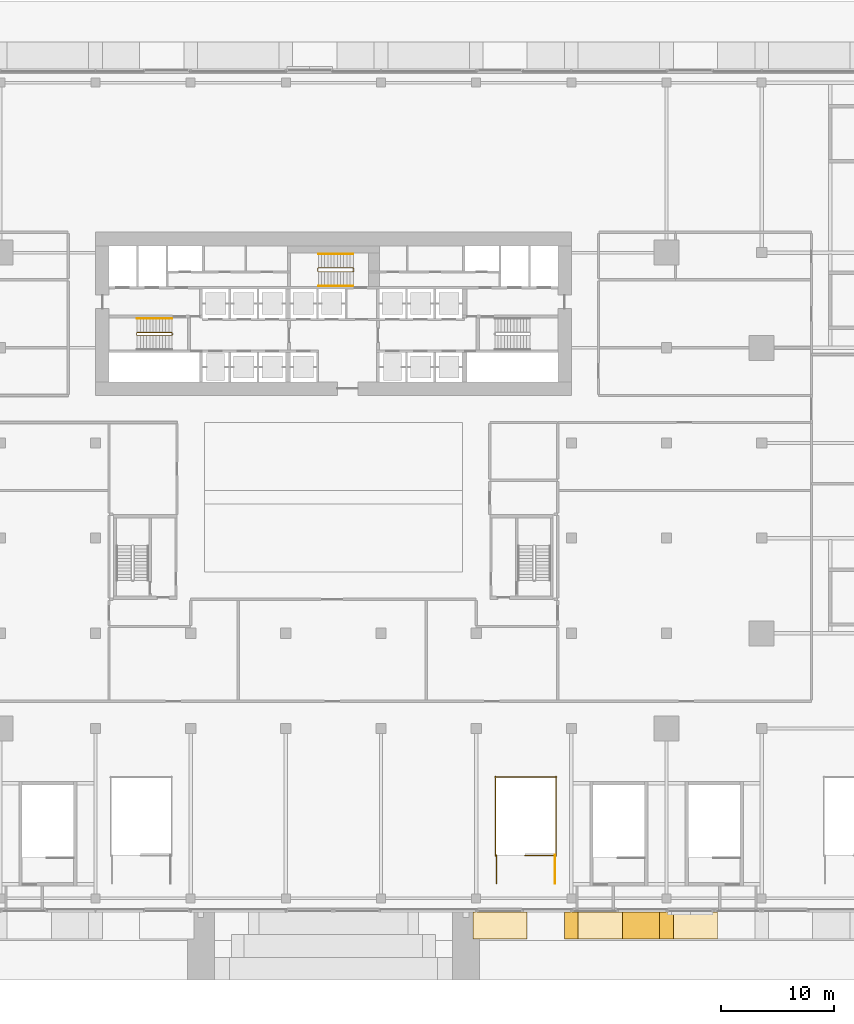
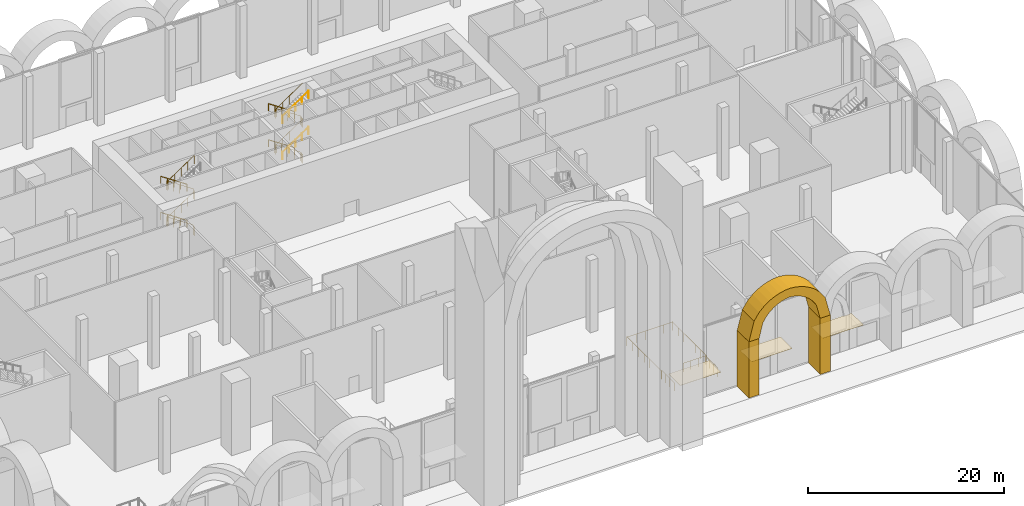
# One storey, part 37 of 43: 10 railings, 6 coverings.
"""IFC4 building model written with IfcOpenShell, lengths in metres."""

import ifcopenshell
import ifcopenshell.guid

model = None  # the IFC model being written
_history = None  # IfcOwnerHistory: only IFC2X3 demands one
_inside = {}  # id of a spatial element -> (the spatial element, [elements in it])
_under = {}  # id of a project, library or spatial element -> (it, [spatial elements below it])
_declared = {}  # id of a project -> (the project, [libraries it declares])
_typed = {}  # id of a type object -> (the type object, [elements of that type])
_made_of = {}  # id of a material, layer set ... -> (it, [elements and type objects made of it])


def new_model(schema):
    """Start an empty IFC model of exactly this schema.

    Asked for "IFC4X3", IfcOpenShell would pick the latest addendum, in which some entities
    have other attributes; the version numbers below select the first issue.
    IFC2X3 requires an IfcOwnerHistory on every rooted entity: one is made here for all.
    """
    global model, _history
    if schema == "IFC4X3":
        model = ifcopenshell.file(schema_version=(4, 3, 0, 0))
    else:
        model = ifcopenshell.file(schema=schema)
    _inside.clear()
    _under.clear()
    _declared.clear()
    _typed.clear()
    _made_of.clear()
    _history = None
    if model.schema == "IFC2X3":
        org = make("IfcOrganization", Name="unknown")
        user = make(
            "IfcPersonAndOrganization",
            ThePerson=make("IfcPerson", FamilyName="unknown"),
            TheOrganization=org,
        )
        app = make(
            "IfcApplication",
            ApplicationDeveloper=org,
            Version="unknown",
            ApplicationFullName="unknown",
            ApplicationIdentifier="unknown",
        )
        _history = make(
            "IfcOwnerHistory",
            OwningUser=user,
            OwningApplication=app,
            ChangeAction="ADDED",
            CreationDate=0,
        )
    return model


def make(cls, **values):
    """One entity of the class cls with the attributes given. An attribute that is None is left unset."""
    return model.create_entity(
        cls, **{name: value for name, value in values.items() if value is not None}
    )


def rooted(cls, **values):
    """An entity with a GlobalId (a new one), such as an element, a storey or a relation."""
    return make(cls, GlobalId=ifcopenshell.guid.new(), OwnerHistory=_history, **values)


def si_unit(unit_type, name, prefix=None):
    """IfcSIUnit, for example si_unit("LENGTHUNIT", "METRE", prefix="MILLI")."""
    return make("IfcSIUnit", UnitType=unit_type, Prefix=prefix, Name=name)


def assignment(units):
    """IfcUnitAssignment: the units of a project."""
    return None if units is None else make("IfcUnitAssignment", Units=units)


def point(xyz):
    """IfcCartesianPoint."""
    return None if xyz is None else make("IfcCartesianPoint", Coordinates=xyz)


def direction(xyz):
    """IfcDirection."""
    return None if xyz is None else make("IfcDirection", DirectionRatios=xyz)


def frame(location, z_axis=None, x_axis=None):
    """IfcAxis2Placement3D, a coordinate frame: its origin and axes. An axis left out is left unset."""
    return make(
        "IfcAxis2Placement3D",
        Location=point(location),
        Axis=direction(z_axis),
        RefDirection=direction(x_axis),
    )


def frame_2d(location, x_axis=None):
    """IfcAxis2Placement2D, a coordinate frame in the plane: its origin and x axis."""
    return make(
        "IfcAxis2Placement2D", Location=point(location), RefDirection=direction(x_axis)
    )


def origin():
    """The frame at (0, 0, 0) with its axes left unset."""
    return frame((0.0, 0.0, 0.0))


def origin_2d():
    """The frame at (0, 0) in the plane with its x axis left unset."""
    return frame_2d((0.0, 0.0))


def place(relative_to, where):
    """IfcLocalPlacement: puts the frame where relative to a parent placement (None: the world)."""
    return make(
        "IfcLocalPlacement", PlacementRelTo=relative_to, RelativePlacement=where
    )


def context(
    kind, dimensions, precision=None, world=None, true_north=None, identifier=None
):
    """IfcGeometricRepresentationContext, for example the 3D "Model" context."""
    return make(
        "IfcGeometricRepresentationContext",
        ContextIdentifier=identifier,
        ContextType=kind,
        CoordinateSpaceDimension=dimensions,
        Precision=precision,
        WorldCoordinateSystem=world,
        TrueNorth=true_north,
    )


def subcontext(parent, identifier, kind, view, scale=None):
    """IfcGeometricRepresentationSubContext, for example "Body" below "Model"."""
    return make(
        "IfcGeometricRepresentationSubContext",
        ContextIdentifier=identifier,
        ContextType=kind,
        ParentContext=parent,
        TargetScale=scale,
        TargetView=view,
    )


def project(units=None, contexts=None):
    """IfcProject with its units and contexts."""
    return rooted(
        "IfcProject",
        Name="project",
        RepresentationContexts=contexts,
        UnitsInContext=assignment(units),
    )


def spatial(cls, under=None, at=None, **own):
    """A site, building, storey or space (cls), placed at a placement, below another one or the project."""
    s = rooted(cls, ObjectPlacement=at, **own)
    if under is not None:
        _under.setdefault(under.id(), (under, []))[1].append(s)
    return s


def polyline(points):
    """IfcPolyline through the points."""
    return make("IfcPolyline", Points=[point(p) for p in points])


def profile(cls, at=None, kind="AREA", **sizes):
    """A parametric profile (cls). Its sizes go by their IFC names, for example OverallWidth=200.0."""
    return make(cls, ProfileType=kind, Position=at, **sizes)


def circle(**sizes):
    """IfcCircleProfileDef."""
    return profile("IfcCircleProfileDef", **sizes)


def outline(outer, holes=None, kind="AREA"):
    """IfcArbitraryClosedProfileDef: a profile drawn as a closed curve; with holes, ...WithVoids."""
    if holes is None:
        return make("IfcArbitraryClosedProfileDef", ProfileType=kind, OuterCurve=outer)
    return make(
        "IfcArbitraryProfileDefWithVoids",
        ProfileType=kind,
        OuterCurve=outer,
        InnerCurves=holes,
    )


def extrude(swept, where, along, depth):
    """IfcExtrudedAreaSolid: the profile swept, set in the frame where, extruded along a direction by depth."""
    return make(
        "IfcExtrudedAreaSolid",
        SweptArea=swept,
        Position=where,
        ExtrudedDirection=direction(along),
        Depth=depth,
    )


def shape(context_of_items, identifier, shape_type, items):
    """IfcShapeRepresentation: the items that make up one representation, for example the "Body"."""
    return make(
        "IfcShapeRepresentation",
        ContextOfItems=context_of_items,
        RepresentationIdentifier=identifier,
        RepresentationType=shape_type,
        Items=items,
    )


def material(Name=None, Category=None):
    """IfcMaterial."""
    return make("IfcMaterial", Name=Name, Category=Category)


def layer(
    of_material, thickness, ventilated=None, Name=None, Category=None, Priority=None
):
    """IfcMaterialLayer: one layer of a wall or slab, of a material (None: an air gap)."""
    return make(
        "IfcMaterialLayer",
        Material=of_material,
        LayerThickness=thickness,
        IsVentilated=ventilated,
        Name=Name,
        Category=Category,
        Priority=Priority,
    )


def layer_set(layers, Name=None):
    """IfcMaterialLayerSet."""
    return make("IfcMaterialLayerSet", MaterialLayers=layers, LayerSetName=Name)


def made_of(thing, what):
    """Note that an element or type object is made of a material, layer set ...; save() writes the relation."""
    if what is not None:
        _made_of.setdefault(what.id(), (what, []))[1].append(thing)
    return thing


def type_object(cls, material=None, **own):
    """A type object (cls), such as IfcWallType, which elements share."""
    return made_of(rooted(cls, **own), material)


def element(
    cls,
    number,
    at=None,
    inside=None,
    cuts=None,
    type_object=None,
    material=None,
    context=None,
    identifier="Body",
    shape_type=None,
    held_by="IfcProductDefinitionShape",
    body=None,
    shapes=None,
    **own,
):
    """One element of the class cls, such as IfcWall. Its Tag is "e" and its number.

    at: its placement. inside: the storey or other place that contains it. cuts: it is an
    opening in that element (IfcRelVoidsElement). A single representation is given by context,
    identifier, shape_type and body (its items); several are given by shapes. held_by: the class
    of the entity that holds the representations. save() writes the other relations.
    """
    e = rooted(cls, Tag="e%d" % number, ObjectPlacement=at, **own)
    if body is not None:
        shapes = [shape(context, identifier, shape_type, body)]
    if shapes is not None:
        e.Representation = make(held_by, Representations=shapes)
    if inside is not None:
        _inside.setdefault(inside.id(), (inside, []))[1].append(e)
    if cuts is not None:
        rooted(
            "IfcRelVoidsElement", RelatingBuildingElement=cuts, RelatedOpeningElement=e
        )
    if type_object is not None:
        _typed.setdefault(type_object.id(), (type_object, []))[1].append(e)
    return made_of(e, material)


def aggregate(whole, parts):
    """IfcRelAggregates: a whole, such as a stair, and the parts it consists of."""
    return rooted("IfcRelAggregates", RelatingObject=whole, RelatedObjects=parts)


def save(model, path):
    """Write the relations noted so far, then the file.

    IfcRelAggregates (storeys below a building ...), IfcRelContainedInSpatialStructure (elements
    in a storey), IfcRelDefinesByType, IfcRelAssociatesMaterial and IfcRelDeclares: one each for
    every whole, place, type object, material and project.
    """
    for whole, parts in _under.values():
        aggregate(whole, parts)
    for where, things in _inside.values():
        rooted(
            "IfcRelContainedInSpatialStructure",
            RelatedElements=things,
            RelatingStructure=where,
        )
    for kind, things in _typed.values():
        rooted("IfcRelDefinesByType", RelatedObjects=things, RelatingType=kind)
    for what, things in _made_of.values():
        rooted("IfcRelAssociatesMaterial", RelatedObjects=things, RelatingMaterial=what)
    for by, libraries in _declared.values():
        rooted("IfcRelDeclares", RelatingContext=by, RelatedDefinitions=libraries)
    model.write(path)


model = new_model("IFC4")

# Units and contexts
model_context = context("Model", 3, precision=1e-05, world=origin(), true_north=direction((0.0, 1.0)))
body_context = subcontext(model_context, "Body", "Model", "MODEL_VIEW")
ifc_project = project(units=[si_unit("LENGTHUNIT", "METRE"), si_unit("AREAUNIT", "SQUARE_METRE"), si_unit("VOLUMEUNIT", "CUBIC_METRE"), si_unit("PLANEANGLEUNIT", "RADIAN"), si_unit("MASSUNIT", "GRAM", prefix="KILO")], contexts=[model_context])

# Site, building, storey
site_placement = place(None, origin())
site = spatial("IfcSite", under=ifc_project, at=site_placement, CompositionType="ELEMENT")
building_placement = place(site_placement, origin())
building = spatial("IfcBuilding", under=site, at=building_placement, Name="Saffron Gate Tower", CompositionType="ELEMENT")
storey_placement = place(building_placement, origin())
storey = spatial("IfcBuildingStorey", under=building, at=storey_placement, Name="L00", CompositionType="ELEMENT", Elevation=0.0)

# Coverings
ifc_material_1 = material(Name="Cast stone cladding, pale limestone", Category="masonry")
ifc_layer_1 = layer(ifc_material_1, 1.199951171875)
ifc_layer_set_1 = layer_set([ifc_layer_1], Name="AR1 arcade pier")
covering_type_1 = type_object("IfcCoveringType", Name="AR1 arcade pier", PredefinedType="CLADDING", material=ifc_layer_set_1)
covering_1_placement = place(storey_placement, origin())
element("IfcCovering", 1, at=covering_1_placement, inside=storey, type_object=covering_type_1, Name="ARCADE PIER", PredefinedType="CLADDING", context=body_context, shape_type="SweptSolid", body=[
    extrude(outline(polyline([(108.0, 15.60009765625), (109.199951171875, 15.60009765625), (109.199951171875, 13.199951171875), (108.0, 13.199951171875), (108.0, 15.60009765625)])), origin(), (0.0, 0.0, 1.0), 7.0),
])
covering_2_placement = place(storey_placement, origin())
element("IfcCovering", 2, at=covering_2_placement, inside=storey, type_object=covering_type_1, Name="ARCADE PIER", PredefinedType="CLADDING", context=body_context, shape_type="SweptSolid", body=[
    extrude(outline(polyline([(116.39990234375, 15.60009765625), (117.60009765625, 15.60009765625), (117.60009765625, 13.199951171875), (116.39990234375, 13.199951171875), (116.39990234375, 15.60009765625)])), origin(), (0.0, 0.0, 1.0), 7.0),
])
ifc_layer_2 = layer(ifc_material_1, 2.39990234375)
ifc_layer_set_2 = layer_set([ifc_layer_2], Name="AR2 arcade arch")
covering_type_2 = type_object("IfcCoveringType", Name="AR2 arcade arch", PredefinedType="CLADDING", material=ifc_layer_set_2)
covering_3_placement = place(storey_placement, frame((109.199951171875, 13.199951171875, 7.0), z_axis=(0.0, -1.0, 0.0), x_axis=(0.239115028028, 0.0, 0.970991247835)))
element("IfcCovering", 3, at=covering_3_placement, inside=storey, type_object=covering_type_2, Name="ARCADE ARCH", PredefinedType="CLADDING", context=body_context, shape_type="SweptSolid", body=[
    extrude(outline(polyline([(0.0, 0.0), (1.881735228381075, 0.0), (2.6469837228088364, -0.2751959895649837), (3.203325380232136, -0.6015856677150615), (3.6394784237266933, -0.9575728359066504), (3.990290439579541, -1.334575973358484), (4.272829633319021, -1.7283918862185135), (4.496636719042157, -2.1369225252012716), (4.667047284796835, -2.5583510865615673), (4.7118168931901065, -3.0107198248883336), (4.70324835930731, -3.4762235440027536), (4.63588933971578, -3.956204930829786), (4.50031587570327, -4.45323615147513), (4.2793430063566635, -4.971046282970603), (3.9381815230813135, -5.518453904507588), (3.3881715804938914, -6.117292273039781), (1.721616526260766, -6.991089572726843), (2.008601262047885, -8.156468716856415), (4.17216134140188, -7.005647442456348), (4.878523373773681, -6.213673843174959), (5.310430144923704, -5.489538670090807), (5.5839235204239435, -4.804162737112771), (5.743450178350844, -4.147103532584232), (5.8116509706907475, -3.512282681215563), (5.800200137231722, -2.897076734489788), (5.715793691149402, -2.300088175430116), (5.513273779136993, -1.7319346487703329), (5.237798254501289, -1.1819985097766537), (4.882612726374266, -0.6514402170157529), (4.436159710352636, -0.14335733582483634), (3.875739976757668, 0.336408816916582), (3.1569068475129147, 0.7774157295518843), (2.163618457046385, 1.1505842159899504), (-0.2869263580947294, 1.1651420857194545), (0.0, 0.0)])), origin(), (0.0, 0.0, -1.0), 2.39990234375),
])
ifc_material_2 = material(Name="Bronze-anodised aluminium soffit panels", Category="aluminium")
ifc_layer_3 = layer(ifc_material_2, 0.030029296875)
ifc_layer_set_3 = layer_set([ifc_layer_3], Name="CE1 canopy soffit lining")
covering_type_3 = type_object("IfcCoveringType", Name="CE1 canopy soffit lining", PredefinedType="CEILING", material=ifc_layer_set_3)
covering_4_placement = place(storey_placement, frame((0.0, 0.0, 4.3701171875)))
element("IfcCovering", 4, at=covering_4_placement, inside=storey, type_object=covering_type_3, Name="ENTRANCE CANOPY soffit lining", PredefinedType="CEILING", context=body_context, shape_type="SweptSolid", body=[
    extrude(outline(polyline([(116.699951171875, 15.60009765625), (121.5, 15.60009765625), (121.5, 13.199951171875), (116.699951171875, 13.199951171875), (116.699951171875, 15.60009765625)])), origin(), (0.0, 0.0, 1.0), 0.02978515625),
])
covering_5_placement = place(storey_placement, frame((0.0, 0.0, 4.3701171875)))
element("IfcCovering", 5, at=covering_5_placement, inside=storey, type_object=covering_type_3, Name="ENTRANCE CANOPY soffit lining", PredefinedType="CEILING", context=body_context, shape_type="SweptSolid", body=[
    extrude(outline(polyline([(99.89990234375, 15.60009765625), (104.699951171875, 15.60009765625), (104.699951171875, 13.199951171875), (99.89990234375, 13.199951171875), (99.89990234375, 15.60009765625)])), origin(), (0.0, 0.0, 1.0), 0.02978515625),
])
covering_6_placement = place(storey_placement, frame((0.0, 0.0, 4.3701171875)))
element("IfcCovering", 6, at=covering_6_placement, inside=storey, type_object=covering_type_3, Name="ENTRANCE CANOPY soffit lining", PredefinedType="CEILING", context=body_context, shape_type="SweptSolid", body=[
    extrude(outline(polyline([(108.300048828125, 15.60009765625), (113.10009765625, 15.60009765625), (113.10009765625, 13.199951171875), (108.300048828125, 13.199951171875), (108.300048828125, 15.60009765625)])), origin(), (0.0, 0.0, 1.0), 0.02978515625),
])

# Railings
ifc_material_3 = material(Name="Stainless steel and laminated glass", Category="steel")
railing_type_1 = type_object("IfcRailingType", Name="CR1 Stair guard 1100", PredefinedType="GUARDRAIL", material=ifc_material_3)
railing_1_placement = place(storey_placement, frame((102.0, 18.10009765625, 0.0)))
element("IfcRailing", 7, at=railing_1_placement, inside=storey, type_object=railing_type_1, Name="L00 SS3 top well guard 1", PredefinedType="GUARDRAIL", context=body_context, shape_type="SweptSolid", body=[
    extrude(circle(Radius=0.02392578125, at=origin_2d()), frame((0.0, 0.0, 1.076171875), z_axis=(0.0, 1.0, 0.0), x_axis=(-1.0, 0.0, 0.0)), (0.0, 0.0, 1.0), 2.5498046875),
    extrude(circle(Radius=0.02392578125, at=origin_2d()), frame((0.0, 2.5498046875, 1.076171875), z_axis=(-0.707969631694, -0.706242876495, 0.0), x_axis=(0.706242876495, -0.707969631694, 0.0)), (0.0, 0.0, 1.0), 0.141357421875),
    extrude(circle(Radius=0.02392578125, at=origin_2d()), frame((-0.10009765625, 2.449951171875, 1.076171875), z_axis=(0.0, 1.0, 0.0), x_axis=(-1.0, 0.0, 0.0)), (0.0, 0.0, 1.0), 7.0),
    extrude(circle(Radius=0.02392578125, at=origin_2d()), frame((-0.10009765625, 9.449951171875, 1.076171875), z_axis=(-0.705375805398, -0.708833529934, 0.0), x_axis=(0.708833529934, -0.705375805398, 0.0)), (0.0, 0.0, 1.0), 0.070556640625),
    extrude(circle(Radius=0.02392578125, at=origin_2d()), frame((-0.14990234375, 9.39990234375, 1.076171875), z_axis=(1.0, 0.0, 0.0), x_axis=(0.0, 1.0, 0.0)), (0.0, 0.0, 1.0), 5.449951171875),
    extrude(circle(Radius=0.02392578125, at=origin_2d()), frame((5.300048828125, 9.39990234375, 1.076171875), z_axis=(-0.707106781187, 0.707106781187, 0.0), x_axis=(-0.707106781187, -0.707106781187, 0.0)), (0.0, 0.0, 1.0), 0.07080078125),
    extrude(circle(Radius=0.02392578125, at=origin_2d()), frame((5.25, 9.449951171875, 1.076171875), z_axis=(0.0, -1.0, 0.0), x_axis=(1.0, 0.0, 0.0)), (0.0, 0.0, 1.0), 7.0),
    extrude(circle(Radius=0.02392578125, at=origin_2d()), frame((5.25, 2.449951171875, 1.076171875), z_axis=(-0.707106781187, 0.707106781187, 0.0), x_axis=(-0.707106781187, -0.707106781187, 0.0)), (0.0, 0.0, 1.0), 0.07080078125),
    extrude(circle(Radius=0.02392578125, at=origin_2d()), frame((5.199951171875, 2.5, 1.076171875), z_axis=(-1.0, 0.0, 0.0), x_axis=(0.0, -1.0, 0.0)), (0.0, 0.0, 1.0), 2.699951171875),
    extrude(circle(Radius=0.02099609375, at=origin_2d()), origin(), (0.0, 0.0, 1.0), 1.052001953125),
    extrude(circle(Radius=0.02099609375, at=origin_2d()), frame((0.0, 0.849853515625, 0.0)), (0.0, 0.0, 1.0), 1.052001953125),
    extrude(circle(Radius=0.02099609375, at=origin_2d()), frame((0.0, 1.699951171875, 0.0)), (0.0, 0.0, 1.0), 1.052001953125),
    extrude(circle(Radius=0.02099609375, at=origin_2d()), frame((0.0, 2.5498046875, 0.0)), (0.0, 0.0, 1.0), 1.052001953125),
    extrude(circle(Radius=0.02099609375, at=origin_2d()), frame((-0.10009765625, 2.449951171875, 0.0)), (0.0, 0.0, 1.0), 1.052001953125),
    extrude(circle(Radius=0.02099609375, at=origin_2d()), frame((-0.10009765625, 3.61669921875, 0.0)), (0.0, 0.0, 1.0), 1.052001953125),
    extrude(circle(Radius=0.02099609375, at=origin_2d()), frame((-0.10009765625, 4.783203125, 0.0)), (0.0, 0.0, 1.0), 1.052001953125),
    extrude(circle(Radius=0.02099609375, at=origin_2d()), frame((-0.10009765625, 5.949951171875, 0.0)), (0.0, 0.0, 1.0), 1.052001953125),
    extrude(circle(Radius=0.02099609375, at=origin_2d()), frame((-0.10009765625, 7.11669921875, 0.0)), (0.0, 0.0, 1.0), 1.052001953125),
    extrude(circle(Radius=0.02099609375, at=origin_2d()), frame((-0.10009765625, 8.283203125, 0.0)), (0.0, 0.0, 1.0), 1.052001953125),
    extrude(circle(Radius=0.02099609375, at=origin_2d()), frame((-0.10009765625, 9.449951171875, 0.0)), (0.0, 0.0, 1.0), 1.052001953125),
    extrude(circle(Radius=0.02099609375, at=origin_2d()), frame((-0.14990234375, 9.39990234375, 0.0)), (0.0, 0.0, 1.0), 1.052001953125),
    extrude(circle(Radius=0.02099609375, at=origin_2d()), frame((0.940185546875, 9.39990234375, 0.0)), (0.0, 0.0, 1.0), 1.052001953125),
    extrude(circle(Radius=0.02099609375, at=origin_2d()), frame((2.030029296875, 9.39990234375, 0.0)), (0.0, 0.0, 1.0), 1.052001953125),
    extrude(circle(Radius=0.02099609375, at=origin_2d()), frame((3.1201171875, 9.39990234375, 0.0)), (0.0, 0.0, 1.0), 1.052001953125),
    extrude(circle(Radius=0.02099609375, at=origin_2d()), frame((4.2099609375, 9.39990234375, 0.0)), (0.0, 0.0, 1.0), 1.052001953125),
    extrude(circle(Radius=0.02099609375, at=origin_2d()), frame((5.300048828125, 9.39990234375, 0.0)), (0.0, 0.0, 1.0), 1.052001953125),
    extrude(circle(Radius=0.02099609375, at=origin_2d()), frame((5.25, 9.449951171875, 0.0)), (0.0, 0.0, 1.0), 1.052001953125),
    extrude(circle(Radius=0.02099609375, at=origin_2d()), frame((5.25, 8.283203125, 0.0)), (0.0, 0.0, 1.0), 1.052001953125),
    extrude(circle(Radius=0.02099609375, at=origin_2d()), frame((5.25, 7.11669921875, 0.0)), (0.0, 0.0, 1.0), 1.052001953125),
    extrude(circle(Radius=0.02099609375, at=origin_2d()), frame((5.25, 5.949951171875, 0.0)), (0.0, 0.0, 1.0), 1.052001953125),
    extrude(circle(Radius=0.02099609375, at=origin_2d()), frame((5.25, 4.783203125, 0.0)), (0.0, 0.0, 1.0), 1.052001953125),
    extrude(circle(Radius=0.02099609375, at=origin_2d()), frame((5.25, 3.61669921875, 0.0)), (0.0, 0.0, 1.0), 1.052001953125),
    extrude(circle(Radius=0.02099609375, at=origin_2d()), frame((5.25, 2.449951171875, 0.0)), (0.0, 0.0, 1.0), 1.052001953125),
    extrude(circle(Radius=0.02099609375, at=origin_2d()), frame((5.199951171875, 2.5, 0.0)), (0.0, 0.0, 1.0), 1.052001953125),
    extrude(circle(Radius=0.02099609375, at=origin_2d()), frame((4.300048828125, 2.5, 0.0)), (0.0, 0.0, 1.0), 1.052001953125),
    extrude(circle(Radius=0.02099609375, at=origin_2d()), frame((3.39990234375, 2.5, 0.0)), (0.0, 0.0, 1.0), 1.052001953125),
    extrude(circle(Radius=0.02099609375, at=origin_2d()), frame((2.5, 2.5, 0.0)), (0.0, 0.0, 1.0), 1.052001953125),
])
railing_2_placement = place(storey_placement, frame((107.14990234375, 18.10009765625, 0.0)))
element("IfcRailing", 8, at=railing_2_placement, inside=storey, type_object=railing_type_1, Name="L00 SS3 top well guard 2", PredefinedType="GUARDRAIL", context=body_context, shape_type="SweptSolid", body=[
    extrude(circle(Radius=0.02392578125, at=origin_2d()), frame((0.0, 0.0, 1.076171875), z_axis=(0.0, 1.0, 0.0), x_axis=(-1.0, 0.0, 0.0)), (0.0, 0.0, 1.0), 2.5498046875),
    extrude(circle(Radius=0.02099609375, at=origin_2d()), origin(), (0.0, 0.0, 1.0), 1.052001953125),
    extrude(circle(Radius=0.02099609375, at=origin_2d()), frame((0.0, 0.849853515625, 0.0)), (0.0, 0.0, 1.0), 1.052001953125),
    extrude(circle(Radius=0.02099609375, at=origin_2d()), frame((0.0, 1.699951171875, 0.0)), (0.0, 0.0, 1.0), 1.052001953125),
    extrude(circle(Radius=0.02099609375, at=origin_2d()), frame((0.0, 2.5498046875, 0.0)), (0.0, 0.0, 1.0), 1.052001953125),
])
railing_3_placement = place(storey_placement, frame((73.39990234375, 66.550048828125, 0.0)))
element("IfcRailing", 9, at=railing_3_placement, inside=storey, type_object=railing_type_1, Name="L00 ST-A stair guard 1", PredefinedType="GUARDRAIL", context=body_context, shape_type="SweptSolid", body=[
    extrude(circle(Radius=0.02392578125, at=origin_2d()), frame((0.0, 0.0, 1.076171875), z_axis=(0.0, 1.0, 0.0), x_axis=(-1.0, 0.0, 0.0)), (0.0, 0.0, 1.0), 0.14990234375),
    extrude(circle(Radius=0.02392578125, at=origin_2d()), frame((0.0, 0.14990234375, 1.076171875), z_axis=(-0.248583702486, 0.249802250048, 0.935844527007), x_axis=(-0.708833529934, -0.705375805398, 0.0)), (0.0, 0.0, 1.0), 0.200439453125),
    extrude(circle(Radius=0.02392578125, at=origin_2d()), frame((-0.0498046875, 0.199951171875, 1.263671875), z_axis=(-0.830913701846, 0.0, 0.55640131208), x_axis=(0.0, -1.0, 0.0)), (0.0, 0.0, 1.0), 3.706787109375),
    extrude(circle(Radius=0.02392578125, at=origin_2d()), frame((-3.1298828125, 0.199951171875, 3.326171875), z_axis=(-0.707106781187, -0.707106781187, 0.0), x_axis=(0.707106781187, -0.707106781187, 0.0)), (0.0, 0.0, 1.0), 0.07080078125),
    extrude(circle(Radius=0.02392578125, at=origin_2d()), frame((-3.179931640625, 0.14990234375, 3.326171875), z_axis=(0.0, -1.0, 0.0), x_axis=(1.0, 0.0, 0.0)), (0.0, 0.0, 1.0), 0.14990234375),
    extrude(circle(Radius=0.02392578125, at=origin_2d()), frame((-3.179931640625, 0.0, 3.326171875), z_axis=(0.249726431254, -0.249726431254, 0.935560483917), x_axis=(0.707106781187, 0.707106781187, 0.0)), (0.0, 0.0, 1.0), 0.200439453125),
    extrude(circle(Radius=0.02392578125, at=origin_2d()), frame((-3.1298828125, -0.050048828125, 3.513671875), z_axis=(0.830913701846, 0.0, 0.55640131208), x_axis=(0.0, 1.0, 0.0)), (0.0, 0.0, 1.0), 3.706787109375),
    extrude(circle(Radius=0.02392578125, at=origin_2d()), frame((-0.0498046875, -0.050048828125, 5.576171875), z_axis=(0.705375805398, 0.708833529934, 0.0), x_axis=(-0.708833529934, 0.705375805398, 0.0)), (0.0, 0.0, 1.0), 0.070556640625),
    extrude(circle(Radius=0.02392578125, at=origin_2d()), frame((0.0, 0.0, 5.576171875), z_axis=(0.0, 1.0, 0.0), x_axis=(-1.0, 0.0, 0.0)), (0.0, 0.0, 1.0), 0.14990234375),
    extrude(circle(Radius=0.02392578125, at=origin_2d()), frame((0.0, 0.14990234375, 5.576171875), z_axis=(-0.248583702486, 0.249802250048, 0.935844527007), x_axis=(-0.708833529934, -0.705375805398, 0.0)), (0.0, 0.0, 1.0), 0.200439453125),
    extrude(circle(Radius=0.02392578125, at=origin_2d()), frame((-0.0498046875, 0.199951171875, 5.763671875), z_axis=(-0.830913701846, 0.0, 0.55640131208), x_axis=(0.0, -1.0, 0.0)), (0.0, 0.0, 1.0), 3.706787109375),
    extrude(circle(Radius=0.02392578125, at=origin_2d()), frame((-3.1298828125, 0.199951171875, 7.826171875), z_axis=(-0.707106781187, -0.707106781187, 0.0), x_axis=(0.707106781187, -0.707106781187, 0.0)), (0.0, 0.0, 1.0), 0.07080078125),
    extrude(circle(Radius=0.02392578125, at=origin_2d()), frame((-3.179931640625, 0.14990234375, 7.826171875), z_axis=(0.0, -1.0, 0.0), x_axis=(1.0, 0.0, 0.0)), (0.0, 0.0, 1.0), 0.14990234375),
    extrude(circle(Radius=0.02392578125, at=origin_2d()), frame((-3.179931640625, 0.0, 7.826171875), z_axis=(0.249726431254, -0.249726431254, 0.935560483917), x_axis=(0.707106781187, 0.707106781187, 0.0)), (0.0, 0.0, 1.0), 0.200439453125),
    extrude(circle(Radius=0.02392578125, at=origin_2d()), frame((-3.1298828125, -0.050048828125, 8.013671875), z_axis=(0.830913701846, 0.0, 0.55640131208), x_axis=(0.0, 1.0, 0.0)), (0.0, 0.0, 1.0), 3.706787109375),
    extrude(circle(Radius=0.02099609375, at=origin_2d()), origin(), (0.0, 0.0, 1.0), 1.052001953125),
    extrude(circle(Radius=0.02099609375, at=origin_2d()), frame((0.0, 0.14990234375, 0.0)), (0.0, 0.0, 1.0), 1.052001953125),
    extrude(circle(Radius=0.02099609375, at=origin_2d()), frame((-0.0498046875, 0.199951171875, 0.1875)), (0.0, 0.0, 1.0), 1.052001953125),
    extrude(circle(Radius=0.02099609375, at=origin_2d()), frame((-0.81982421875, 0.199951171875, 0.703125)), (0.0, 0.0, 1.0), 1.052001953125),
    extrude(circle(Radius=0.02099609375, at=origin_2d()), frame((-1.58984375, 0.199951171875, 1.21875)), (0.0, 0.0, 1.0), 1.052001953125),
    extrude(circle(Radius=0.02099609375, at=origin_2d()), frame((-2.35986328125, 0.199951171875, 1.734375)), (0.0, 0.0, 1.0), 1.052001953125),
    extrude(circle(Radius=0.02099609375, at=origin_2d()), frame((-3.1298828125, 0.199951171875, 2.25)), (0.0, 0.0, 1.0), 1.052001953125),
    extrude(circle(Radius=0.02099609375, at=origin_2d()), frame((-3.179931640625, 0.14990234375, 2.25)), (0.0, 0.0, 1.0), 1.052001953125),
    extrude(circle(Radius=0.02099609375, at=origin_2d()), frame((-3.179931640625, 0.0, 2.25)), (0.0, 0.0, 1.0), 1.052001953125),
    extrude(circle(Radius=0.02099609375, at=origin_2d()), frame((-3.1298828125, -0.050048828125, 2.4375)), (0.0, 0.0, 1.0), 1.052001953125),
    extrude(circle(Radius=0.02099609375, at=origin_2d()), frame((-2.35986328125, -0.050048828125, 2.953125)), (0.0, 0.0, 1.0), 1.052001953125),
    extrude(circle(Radius=0.02099609375, at=origin_2d()), frame((-1.58984375, -0.050048828125, 3.46875)), (0.0, 0.0, 1.0), 1.052001953125),
    extrude(circle(Radius=0.02099609375, at=origin_2d()), frame((-0.81982421875, -0.050048828125, 3.984375)), (0.0, 0.0, 1.0), 1.052001953125),
    extrude(circle(Radius=0.02099609375, at=origin_2d()), frame((-0.0498046875, -0.050048828125, 4.5)), (0.0, 0.0, 1.0), 1.052001953125),
    extrude(circle(Radius=0.02099609375, at=origin_2d()), frame((0.0, 0.0, 4.5)), (0.0, 0.0, 1.0), 1.052001953125),
    extrude(circle(Radius=0.02099609375, at=origin_2d()), frame((0.0, 0.14990234375, 4.5)), (0.0, 0.0, 1.0), 1.052001953125),
    extrude(circle(Radius=0.02099609375, at=origin_2d()), frame((-0.0498046875, 0.199951171875, 4.6875)), (0.0, 0.0, 1.0), 1.052001953125),
    extrude(circle(Radius=0.02099609375, at=origin_2d()), frame((-0.81982421875, 0.199951171875, 5.203125)), (0.0, 0.0, 1.0), 1.052001953125),
    extrude(circle(Radius=0.02099609375, at=origin_2d()), frame((-1.58984375, 0.199951171875, 5.71875)), (0.0, 0.0, 1.0), 1.052001953125),
    extrude(circle(Radius=0.02099609375, at=origin_2d()), frame((-2.35986328125, 0.199951171875, 6.234375)), (0.0, 0.0, 1.0), 1.052001953125),
    extrude(circle(Radius=0.02099609375, at=origin_2d()), frame((-3.1298828125, 0.199951171875, 6.75)), (0.0, 0.0, 1.0), 1.052001953125),
    extrude(circle(Radius=0.02099609375, at=origin_2d()), frame((-3.179931640625, 0.14990234375, 6.75)), (0.0, 0.0, 1.0), 1.052001953125),
    extrude(circle(Radius=0.02099609375, at=origin_2d()), frame((-3.179931640625, 0.0, 6.75)), (0.0, 0.0, 1.0), 1.052001953125),
    extrude(circle(Radius=0.02099609375, at=origin_2d()), frame((-3.1298828125, -0.050048828125, 6.9375)), (0.0, 0.0, 1.0), 1.052001953125),
    extrude(circle(Radius=0.02099609375, at=origin_2d()), frame((-2.35986328125, -0.050048828125, 7.453125)), (0.0, 0.0, 1.0), 1.052001953125),
    extrude(circle(Radius=0.02099609375, at=origin_2d()), frame((-1.58984375, -0.050048828125, 7.96875)), (0.0, 0.0, 1.0), 1.052001953125),
    extrude(circle(Radius=0.02099609375, at=origin_2d()), frame((-0.81982421875, -0.050048828125, 8.484375)), (0.0, 0.0, 1.0), 1.052001953125),
    extrude(circle(Radius=0.02099609375, at=origin_2d()), frame((-0.0498046875, -0.050048828125, 9.0)), (0.0, 0.0, 1.0), 1.052001953125),
])
railing_4_placement = place(storey_placement, frame((89.39990234375, 72.14990234375, 0.0)))
element("IfcRailing", 10, at=railing_4_placement, inside=storey, type_object=railing_type_1, Name="L00 ST-C stair guard 1", PredefinedType="GUARDRAIL", context=body_context, shape_type="SweptSolid", body=[
    extrude(circle(Radius=0.02392578125, at=origin_2d()), frame((0.0, 0.0, 1.076171875), z_axis=(0.0, 1.0, 0.0), x_axis=(-1.0, 0.0, 0.0)), (0.0, 0.0, 1.0), 0.25),
    extrude(circle(Radius=0.02392578125, at=origin_2d()), frame((0.0, 0.25, 1.076171875), z_axis=(-0.248583702486, 0.249802250048, 0.935844527007), x_axis=(-0.708833529934, -0.705375805398, 0.0)), (0.0, 0.0, 1.0), 0.200439453125),
    extrude(circle(Radius=0.02392578125, at=origin_2d()), frame((-0.0498046875, 0.300048828125, 1.263671875), z_axis=(-0.830913701846, 0.0, 0.55640131208), x_axis=(0.0, -1.0, 0.0)), (0.0, 0.0, 1.0), 3.706787109375),
    extrude(circle(Radius=0.02392578125, at=origin_2d()), frame((-3.1298828125, 0.300048828125, 3.326171875), z_axis=(-0.707106781187, -0.707106781187, 0.0), x_axis=(0.707106781187, -0.707106781187, 0.0)), (0.0, 0.0, 1.0), 0.07080078125),
    extrude(circle(Radius=0.02392578125, at=origin_2d()), frame((-3.179931640625, 0.25, 3.326171875), z_axis=(0.0, -1.0, 0.0), x_axis=(1.0, 0.0, 0.0)), (0.0, 0.0, 1.0), 0.25),
    extrude(circle(Radius=0.02392578125, at=origin_2d()), frame((-3.179931640625, 0.0, 3.326171875), z_axis=(0.249802250048, -0.248583702486, 0.935844527007), x_axis=(0.705375805398, 0.708833529934, 0.0)), (0.0, 0.0, 1.0), 0.200439453125),
    extrude(circle(Radius=0.02392578125, at=origin_2d()), frame((-3.1298828125, -0.0498046875, 3.513671875), z_axis=(0.830913701846, 0.0, 0.55640131208), x_axis=(0.0, 1.0, 0.0)), (0.0, 0.0, 1.0), 3.706787109375),
    extrude(circle(Radius=0.02392578125, at=origin_2d()), frame((-0.0498046875, -0.0498046875, 5.576171875), z_axis=(0.707106781187, 0.707106781187, 0.0), x_axis=(-0.707106781187, 0.707106781187, 0.0)), (0.0, 0.0, 1.0), 0.0703125),
    extrude(circle(Radius=0.02392578125, at=origin_2d()), frame((0.0, 0.0, 5.576171875), z_axis=(0.0, 1.0, 0.0), x_axis=(-1.0, 0.0, 0.0)), (0.0, 0.0, 1.0), 0.25),
    extrude(circle(Radius=0.02392578125, at=origin_2d()), frame((0.0, 0.25, 5.576171875), z_axis=(-0.248583702486, 0.249802250048, 0.935844527007), x_axis=(-0.708833529934, -0.705375805398, 0.0)), (0.0, 0.0, 1.0), 0.200439453125),
    extrude(circle(Radius=0.02392578125, at=origin_2d()), frame((-0.0498046875, 0.300048828125, 5.763671875), z_axis=(-0.830913701846, 0.0, 0.55640131208), x_axis=(0.0, -1.0, 0.0)), (0.0, 0.0, 1.0), 3.706787109375),
    extrude(circle(Radius=0.02392578125, at=origin_2d()), frame((-3.1298828125, 0.300048828125, 7.826171875), z_axis=(-0.707106781187, -0.707106781187, 0.0), x_axis=(0.707106781187, -0.707106781187, 0.0)), (0.0, 0.0, 1.0), 0.07080078125),
    extrude(circle(Radius=0.02392578125, at=origin_2d()), frame((-3.179931640625, 0.25, 7.826171875), z_axis=(0.0, -1.0, 0.0), x_axis=(1.0, 0.0, 0.0)), (0.0, 0.0, 1.0), 0.25),
    extrude(circle(Radius=0.02392578125, at=origin_2d()), frame((-3.179931640625, 0.0, 7.826171875), z_axis=(0.249802250048, -0.248583702486, 0.935844527007), x_axis=(0.705375805398, 0.708833529934, 0.0)), (0.0, 0.0, 1.0), 0.200439453125),
    extrude(circle(Radius=0.02392578125, at=origin_2d()), frame((-3.1298828125, -0.0498046875, 8.013671875), z_axis=(0.830913701846, 0.0, 0.55640131208), x_axis=(0.0, 1.0, 0.0)), (0.0, 0.0, 1.0), 3.706787109375),
    extrude(circle(Radius=0.02099609375, at=origin_2d()), origin(), (0.0, 0.0, 1.0), 1.052001953125),
    extrude(circle(Radius=0.02099609375, at=origin_2d()), frame((0.0, 0.25, 0.0)), (0.0, 0.0, 1.0), 1.052001953125),
    extrude(circle(Radius=0.02099609375, at=origin_2d()), frame((-0.0498046875, 0.300048828125, 0.1875)), (0.0, 0.0, 1.0), 1.052001953125),
    extrude(circle(Radius=0.02099609375, at=origin_2d()), frame((-0.81982421875, 0.300048828125, 0.703125)), (0.0, 0.0, 1.0), 1.052001953125),
    extrude(circle(Radius=0.02099609375, at=origin_2d()), frame((-1.58984375, 0.300048828125, 1.21875)), (0.0, 0.0, 1.0), 1.052001953125),
    extrude(circle(Radius=0.02099609375, at=origin_2d()), frame((-2.35986328125, 0.300048828125, 1.734375)), (0.0, 0.0, 1.0), 1.052001953125),
    extrude(circle(Radius=0.02099609375, at=origin_2d()), frame((-3.1298828125, 0.300048828125, 2.25)), (0.0, 0.0, 1.0), 1.052001953125),
    extrude(circle(Radius=0.02099609375, at=origin_2d()), frame((-3.179931640625, 0.25, 2.25)), (0.0, 0.0, 1.0), 1.052001953125),
    extrude(circle(Radius=0.02099609375, at=origin_2d()), frame((-3.179931640625, 0.0, 2.25)), (0.0, 0.0, 1.0), 1.052001953125),
    extrude(circle(Radius=0.02099609375, at=origin_2d()), frame((-3.1298828125, -0.0498046875, 2.4375)), (0.0, 0.0, 1.0), 1.052001953125),
    extrude(circle(Radius=0.02099609375, at=origin_2d()), frame((-2.35986328125, -0.0498046875, 2.953125)), (0.0, 0.0, 1.0), 1.052001953125),
    extrude(circle(Radius=0.02099609375, at=origin_2d()), frame((-1.58984375, -0.0498046875, 3.46875)), (0.0, 0.0, 1.0), 1.052001953125),
    extrude(circle(Radius=0.02099609375, at=origin_2d()), frame((-0.81982421875, -0.0498046875, 3.984375)), (0.0, 0.0, 1.0), 1.052001953125),
    extrude(circle(Radius=0.02099609375, at=origin_2d()), frame((-0.0498046875, -0.0498046875, 4.5)), (0.0, 0.0, 1.0), 1.052001953125),
    extrude(circle(Radius=0.02099609375, at=origin_2d()), frame((0.0, 0.0, 4.5)), (0.0, 0.0, 1.0), 1.052001953125),
    extrude(circle(Radius=0.02099609375, at=origin_2d()), frame((0.0, 0.25, 4.5)), (0.0, 0.0, 1.0), 1.052001953125),
    extrude(circle(Radius=0.02099609375, at=origin_2d()), frame((-0.0498046875, 0.300048828125, 4.6875)), (0.0, 0.0, 1.0), 1.052001953125),
    extrude(circle(Radius=0.02099609375, at=origin_2d()), frame((-0.81982421875, 0.300048828125, 5.203125)), (0.0, 0.0, 1.0), 1.052001953125),
    extrude(circle(Radius=0.02099609375, at=origin_2d()), frame((-1.58984375, 0.300048828125, 5.71875)), (0.0, 0.0, 1.0), 1.052001953125),
    extrude(circle(Radius=0.02099609375, at=origin_2d()), frame((-2.35986328125, 0.300048828125, 6.234375)), (0.0, 0.0, 1.0), 1.052001953125),
    extrude(circle(Radius=0.02099609375, at=origin_2d()), frame((-3.1298828125, 0.300048828125, 6.75)), (0.0, 0.0, 1.0), 1.052001953125),
    extrude(circle(Radius=0.02099609375, at=origin_2d()), frame((-3.179931640625, 0.25, 6.75)), (0.0, 0.0, 1.0), 1.052001953125),
    extrude(circle(Radius=0.02099609375, at=origin_2d()), frame((-3.179931640625, 0.0, 6.75)), (0.0, 0.0, 1.0), 1.052001953125),
    extrude(circle(Radius=0.02099609375, at=origin_2d()), frame((-3.1298828125, -0.0498046875, 6.9375)), (0.0, 0.0, 1.0), 1.052001953125),
    extrude(circle(Radius=0.02099609375, at=origin_2d()), frame((-2.35986328125, -0.0498046875, 7.453125)), (0.0, 0.0, 1.0), 1.052001953125),
    extrude(circle(Radius=0.02099609375, at=origin_2d()), frame((-1.58984375, -0.0498046875, 7.96875)), (0.0, 0.0, 1.0), 1.052001953125),
    extrude(circle(Radius=0.02099609375, at=origin_2d()), frame((-0.81982421875, -0.0498046875, 8.484375)), (0.0, 0.0, 1.0), 1.052001953125),
    extrude(circle(Radius=0.02099609375, at=origin_2d()), frame((-0.0498046875, -0.0498046875, 9.0)), (0.0, 0.0, 1.0), 1.052001953125),
])
ifc_material_4 = material(Name="Stainless steel", Category="steel")
railing_type_2 = type_object("IfcRailingType", Name="CR2 Stair handrail 900", PredefinedType="HANDRAIL", material=ifc_material_4)
for number, where, name in (
    (11, (73.35009765625, 68.0, 0.1875), "L00 ST-A stair handrail 1"),
    (12, (73.35009765625, 68.0, 4.6875), "L00 ST-A stair handrail 3"),
    (13, (89.35009765625, 73.699951171875, 0.1875), "L00 ST-C stair handrail 1"),
):
    element("IfcRailing", number, at=place(storey_placement, frame(where)), inside=storey, type_object=railing_type_2, Name=name, PredefinedType="HANDRAIL", context=body_context, shape_type="SweptSolid", body=[
        extrude(circle(Radius=0.02392578125, at=origin_2d()), frame((0.0, 0.0, 0.8759765625), z_axis=(-0.830913701846, 0.0, 0.55640131208), x_axis=(0.0, -1.0, 0.0)), (0.0, 0.0, 1.0), 3.706787109375),
        extrude(circle(Radius=0.02099609375, at=origin_2d()), origin(), (0.0, 0.0, 1.0), 0.851806640625),
        extrude(circle(Radius=0.02099609375, at=origin_2d()), frame((-0.77001953125, 0.0, 0.515625)), (0.0, 0.0, 1.0), 0.851806640625),
        extrude(circle(Radius=0.02099609375, at=origin_2d()), frame((-1.5400390625, 0.0, 1.03125)), (0.0, 0.0, 1.0), 0.851806640625),
        extrude(circle(Radius=0.02099609375, at=origin_2d()), frame((-2.31005859375, 0.0, 1.546875)), (0.0, 0.0, 1.0), 0.851806640625),
        extrude(circle(Radius=0.02099609375, at=origin_2d()), frame((-3.080078125, 0.0, 2.0625)), (0.0, 0.0, 1.0), 0.851806640625),
    ])
railing_5_placement = place(storey_placement, frame((86.27001953125, 70.85009765625, 2.4375)))
element("IfcRailing", 14, at=railing_5_placement, inside=storey, type_object=railing_type_2, Name="L00 ST-C stair handrail 2", PredefinedType="HANDRAIL", context=body_context, shape_type="SweptSolid", body=[
    extrude(circle(Radius=0.02392578125, at=origin_2d()), frame((0.0, 0.0, 0.8759765625), z_axis=(0.830913701846, 0.0, 0.55640131208), x_axis=(0.0, 1.0, 0.0)), (0.0, 0.0, 1.0), 3.706787109375),
    extrude(circle(Radius=0.02099609375, at=origin_2d()), origin(), (0.0, 0.0, 1.0), 0.851806640625),
    extrude(circle(Radius=0.02099609375, at=origin_2d()), frame((0.77001953125, 0.0, 0.515625)), (0.0, 0.0, 1.0), 0.851806640625),
    extrude(circle(Radius=0.02099609375, at=origin_2d()), frame((1.5400390625, 0.0, 1.03125)), (0.0, 0.0, 1.0), 0.851806640625),
    extrude(circle(Radius=0.02099609375, at=origin_2d()), frame((2.31005859375, 0.0, 1.546875)), (0.0, 0.0, 1.0), 0.851806640625),
    extrude(circle(Radius=0.02099609375, at=origin_2d()), frame((3.080078125, 0.0, 2.0625)), (0.0, 0.0, 1.0), 0.851806640625),
])
railing_6_placement = place(storey_placement, frame((89.35009765625, 73.699951171875, 4.6875)))
element("IfcRailing", 15, at=railing_6_placement, inside=storey, type_object=railing_type_2, Name="L00 ST-C stair handrail 3", PredefinedType="HANDRAIL", context=body_context, shape_type="SweptSolid", body=[
    extrude(circle(Radius=0.02392578125, at=origin_2d()), frame((0.0, 0.0, 0.8759765625), z_axis=(-0.830913701846, 0.0, 0.55640131208), x_axis=(0.0, -1.0, 0.0)), (0.0, 0.0, 1.0), 3.706787109375),
    extrude(circle(Radius=0.02099609375, at=origin_2d()), origin(), (0.0, 0.0, 1.0), 0.851806640625),
    extrude(circle(Radius=0.02099609375, at=origin_2d()), frame((-0.77001953125, 0.0, 0.515625)), (0.0, 0.0, 1.0), 0.851806640625),
    extrude(circle(Radius=0.02099609375, at=origin_2d()), frame((-1.5400390625, 0.0, 1.03125)), (0.0, 0.0, 1.0), 0.851806640625),
    extrude(circle(Radius=0.02099609375, at=origin_2d()), frame((-2.31005859375, 0.0, 1.546875)), (0.0, 0.0, 1.0), 0.851806640625),
    extrude(circle(Radius=0.02099609375, at=origin_2d()), frame((-3.080078125, 0.0, 2.0625)), (0.0, 0.0, 1.0), 0.851806640625),
])
railing_7_placement = place(storey_placement, frame((86.27001953125, 70.85009765625, 6.9375)))
element("IfcRailing", 16, at=railing_7_placement, inside=storey, type_object=railing_type_2, Name="L00 ST-C stair handrail 4", PredefinedType="HANDRAIL", context=body_context, shape_type="SweptSolid", body=[
    extrude(circle(Radius=0.02392578125, at=origin_2d()), frame((0.0, 0.0, 0.8759765625), z_axis=(0.830913701846, 0.0, 0.55640131208), x_axis=(0.0, 1.0, 0.0)), (0.0, 0.0, 1.0), 3.706787109375),
    extrude(circle(Radius=0.02099609375, at=origin_2d()), origin(), (0.0, 0.0, 1.0), 0.851806640625),
    extrude(circle(Radius=0.02099609375, at=origin_2d()), frame((0.77001953125, 0.0, 0.515625)), (0.0, 0.0, 1.0), 0.851806640625),
    extrude(circle(Radius=0.02099609375, at=origin_2d()), frame((1.5400390625, 0.0, 1.03125)), (0.0, 0.0, 1.0), 0.851806640625),
    extrude(circle(Radius=0.02099609375, at=origin_2d()), frame((2.31005859375, 0.0, 1.546875)), (0.0, 0.0, 1.0), 0.851806640625),
    extrude(circle(Radius=0.02099609375, at=origin_2d()), frame((3.080078125, 0.0, 2.0625)), (0.0, 0.0, 1.0), 0.851806640625),
])

save(model, "model.ifc")
